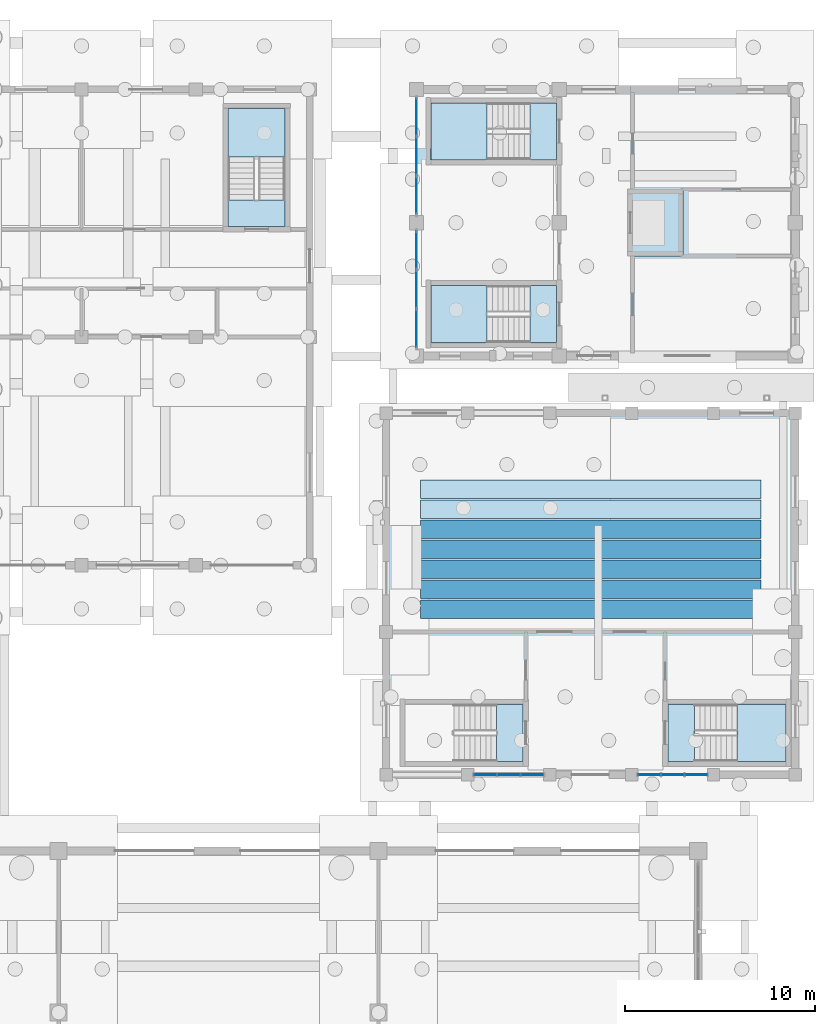
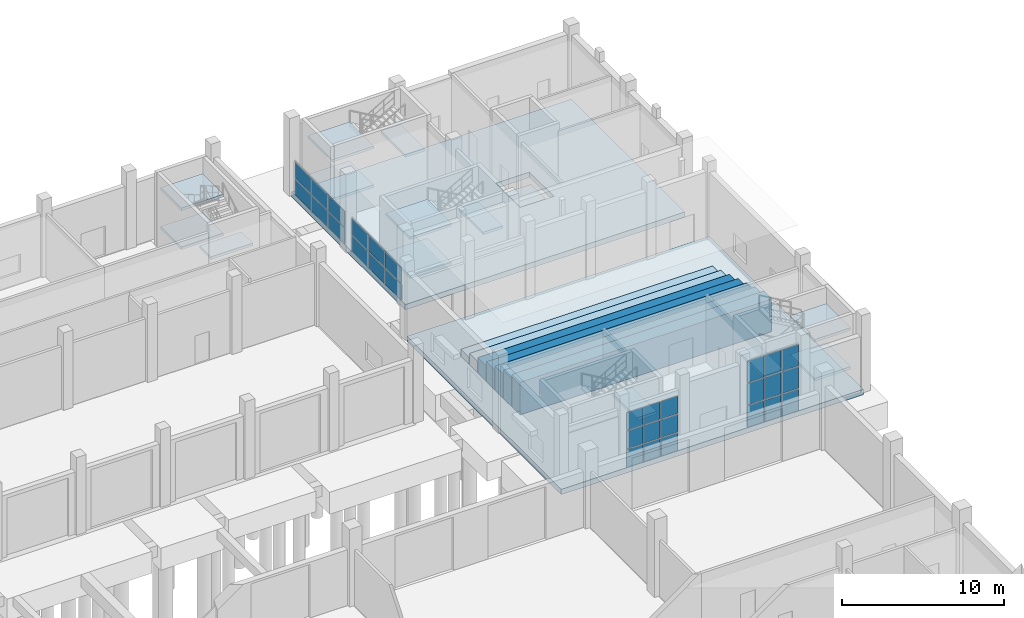
# One storey, part 27 of 60: 30 plates, 23 slabs, 9 elements without a shape of their own.
"""IFC4 building model written with IfcOpenShell, lengths in metres."""

from ifc_helpers import new_model, si_unit, direction, frame, origin, origin_2d, place, context, subcontext, project, spatial, polyline, rectangle, outline, extrude, material, layer, layer_set, type_object, element, aggregate, save


model = new_model("IFC4")

# Units and contexts
model_context = context("Model", 3, precision=1e-05, world=origin(), true_north=direction((0.0, 1.0)))
body_context = subcontext(model_context, "Body", "Model", "MODEL_VIEW")
ifc_project = project(units=[si_unit("LENGTHUNIT", "METRE"), si_unit("AREAUNIT", "SQUARE_METRE"), si_unit("VOLUMEUNIT", "CUBIC_METRE"), si_unit("PLANEANGLEUNIT", "RADIAN"), si_unit("MASSUNIT", "GRAM", prefix="KILO")], contexts=[model_context])

# Site, building, storey
site_placement = place(None, origin())
site = spatial("IfcSite", under=ifc_project, at=site_placement, CompositionType="ELEMENT")
building_placement = place(site_placement, origin())
building = spatial("IfcBuilding", under=site, at=building_placement, Name="Trellovar Central Fire Station", CompositionType="ELEMENT")
storey_placement = place(building_placement, origin())
storey = spatial("IfcBuildingStorey", under=building, at=storey_placement, Name="L01", CompositionType="ELEMENT", Elevation=0.0)

# Curtain wall, plate
ifc_material_1 = material(Name="Thermally broken bronze anodized aluminum", Category="aluminium")
ifc_layer_1 = layer(ifc_material_1, 0.159912109375)
ifc_layer_set_1 = layer_set([ifc_layer_1], Name="Thermally broken bronze anodized aluminum")
curtain_wall_type_1 = type_object("IfcCurtainWallType", Name="CW-03", PredefinedType="NOTDEFINED", material=ifc_layer_set_1)
curtain_wall_1_placement = place(storey_placement, origin())
curtain_wall_1 = element("IfcCurtainWall", 1, at=curtain_wall_1_placement, inside=storey, type_object=curtain_wall_type_1, Name="L01 curtain wall CW-3", PredefinedType="NOTDEFINED")
ifc_material_2 = material(Name="Double low-E solar control insulated glazing", Category="glass")
ifc_layer_2 = layer(ifc_material_2, 0.031982421875)
ifc_layer_set_2 = layer_set([ifc_layer_2], Name="Double low-E solar control insulated glazing")
plate_type_1 = type_object("IfcPlateType", Name="CWP-GL1", PredefinedType="CURTAIN_PANEL", material=ifc_layer_set_2)
plate_1_placement = place(storey_placement, frame((144.716796875, 37.0, 1.4365234375), z_axis=(0.0, 0.0, 1.0), x_axis=(1.0, 0.0, 0.0)))
plate_1 = element("IfcPlate", 2, at=plate_1_placement, type_object=plate_type_1, Name="CW3-L01-0143 panel 1-2", PredefinedType="CURTAIN_PANEL", context=body_context, shape_type="SweptSolid", body=[
    extrude(rectangle(XDim=1.1533203125, YDim=0.031982421875, at=origin_2d()), origin(), (0.0, 0.0, 1.0), 1.316650390625),
])

# Curtain wall, plates
curtain_wall_2_placement = place(storey_placement, origin())
curtain_wall_2 = element("IfcCurtainWall", 3, at=curtain_wall_2_placement, inside=storey, type_object=curtain_wall_type_1, Name="L01 curtain wall CW-3", PredefinedType="NOTDEFINED")
plate_2_placement = place(storey_placement, frame((153.316650390625, 37.0, 3.40673828125), z_axis=(0.0, 0.0, 1.0), x_axis=(1.0, 0.0, 0.0)))
plate_2 = element("IfcPlate", 4, at=plate_2_placement, type_object=plate_type_1, Name="CW3-L01-0146 panel 1-3", PredefinedType="CURTAIN_PANEL", context=body_context, shape_type="SweptSolid", body=[
    extrude(rectangle(XDim=1.1533203125, YDim=0.031982421875, at=origin_2d()), origin(), (0.0, 0.0, 1.0), 1.603271484375),
])
plate_3_placement = place(storey_placement, frame((154.550048828125, 37.0, 1.72314453125), z_axis=(0.0, 0.0, 1.0), x_axis=(1.0, 0.0, 0.0)))
plate_3 = element("IfcPlate", 5, at=plate_3_placement, type_object=plate_type_1, Name="CW3-L01-0146 panel 2-2", PredefinedType="CURTAIN_PANEL", context=body_context, shape_type="SweptSolid", body=[
    extrude(rectangle(XDim=1.1533203125, YDim=0.031982421875, at=origin_2d()), origin(), (0.0, 0.0, 1.0), 1.603515625),
])

# Curtain wall, plate
ifc_material_3 = material(Name="Thermally broken bronze anodized aluminum", Category="aluminium")
ifc_layer_3 = layer(ifc_material_3, 0.159912109375)
ifc_layer_set_3 = layer_set([ifc_layer_3], Name="Thermally broken bronze anodized aluminum")
curtain_wall_type_2 = type_object("IfcCurtainWallType", Name="CW-07", PredefinedType="NOTDEFINED", material=ifc_layer_set_3)
curtain_wall_3_placement = place(storey_placement, origin())
curtain_wall_3 = element("IfcCurtainWall", 6, at=curtain_wall_3_placement, inside=storey, type_object=curtain_wall_type_2, Name="V2 L01 west drill yard curtain wall", PredefinedType="NOTDEFINED")
plate_4_placement = place(storey_placement, frame((141.10009765625, 62.5, 1.31494140625), z_axis=(0.0, 0.0, 1.0), x_axis=(0.0, 1.0, 0.0)))
plate_4 = element("IfcPlate", 7, at=plate_4_placement, type_object=plate_type_1, Name="CW3-L01-0154 panel 2-2", PredefinedType="CURTAIN_PANEL", context=body_context, shape_type="SweptSolid", body=[
    extrude(rectangle(XDim=1.973388671875, YDim=0.031982421875, at=origin_2d()), origin(), (0.0, 0.0, 1.0), 1.195068359375),
])

curtain_wall_4_placement = place(storey_placement, origin())
curtain_wall_4 = element("IfcCurtainWall", 8, at=curtain_wall_4_placement, inside=storey, type_object=curtain_wall_type_2, Name="V2 L01 west drill yard curtain wall", PredefinedType="NOTDEFINED")
plate_5_placement = place(storey_placement, frame((141.10009765625, 67.44677734375, 1.31494140625), z_axis=(0.0, 0.0, 1.0), x_axis=(0.0, 1.0, 0.0)))
plate_5 = element("IfcPlate", 9, at=plate_5_placement, type_object=plate_type_1, Name="CW3-L01-0155 panel 1-2", PredefinedType="CURTAIN_PANEL", context=body_context, shape_type="SweptSolid", body=[
    extrude(rectangle(XDim=1.973388671875, YDim=0.031982421875, at=origin_2d()), origin(), (0.0, 0.0, 1.0), 1.195068359375),
])

# Plate
ifc_material_4 = material(Name="Double low-E solar control insulated glazing", Category="glass")
ifc_layer_4 = layer(ifc_material_4, 0.035888671875)
ifc_layer_set_4 = layer_set([ifc_layer_4], Name="Double low-E solar control insulated glazing")
plate_type_2 = type_object("IfcPlateType", Name="CWP-GL2", PredefinedType="CURTAIN_PANEL", material=ifc_layer_set_4)
plate_6_placement = place(storey_placement, frame((144.716796875, 37.0, 2.83349609375), z_axis=(0.0, 0.0, 1.0), x_axis=(1.0, 0.0, 0.0)))
plate_6 = element("IfcPlate", 10, at=plate_6_placement, type_object=plate_type_2, Name="CW3-L01-0143 panel 1-3", PredefinedType="CURTAIN_PANEL", context=body_context, shape_type="SweptSolid", body=[
    extrude(rectangle(XDim=1.1533203125, YDim=0.035888671875, at=origin_2d()), origin(), (0.0, 0.0, 1.0), 1.316650390625),
])

plate_7_placement = place(storey_placement, frame((145.949951171875, 37.0, 1.4365234375), z_axis=(0.0, 0.0, 1.0), x_axis=(1.0, 0.0, 0.0)))
plate_7 = element("IfcPlate", 11, at=plate_7_placement, type_object=plate_type_2, Name="CW3-L01-0143 panel 2-2", PredefinedType="CURTAIN_PANEL", context=body_context, shape_type="SweptSolid", body=[
    extrude(rectangle(XDim=1.1533203125, YDim=0.035888671875, at=origin_2d()), origin(), (0.0, 0.0, 1.0), 1.316650390625),
])

plate_8_placement = place(storey_placement, frame((154.550048828125, 37.0, 3.40673828125), z_axis=(0.0, 0.0, 1.0), x_axis=(1.0, 0.0, 0.0)))
plate_8 = element("IfcPlate", 12, at=plate_8_placement, type_object=plate_type_2, Name="CW3-L01-0146 panel 2-3", PredefinedType="CURTAIN_PANEL", context=body_context, shape_type="SweptSolid", body=[
    extrude(rectangle(XDim=1.1533203125, YDim=0.035888671875, at=origin_2d()), origin(), (0.0, 0.0, 1.0), 1.603271484375),
])

plate_9_placement = place(storey_placement, frame((155.783447265625, 37.0, 1.72314453125), z_axis=(0.0, 0.0, 1.0), x_axis=(1.0, 0.0, 0.0)))
plate_9 = element("IfcPlate", 13, at=plate_9_placement, type_object=plate_type_2, Name="CW3-L01-0146 panel 3-2", PredefinedType="CURTAIN_PANEL", context=body_context, shape_type="SweptSolid", body=[
    extrude(rectangle(XDim=1.1533203125, YDim=0.035888671875, at=origin_2d()), origin(), (0.0, 0.0, 1.0), 1.603515625),
])

plate_10_placement = place(storey_placement, frame((141.10009765625, 64.55322265625, 1.31494140625), z_axis=(0.0, 0.0, 1.0), x_axis=(0.0, 1.0, 0.0)))
plate_10 = element("IfcPlate", 14, at=plate_10_placement, type_object=plate_type_2, Name="CW3-L01-0154 panel 3-2", PredefinedType="CURTAIN_PANEL", context=body_context, shape_type="SweptSolid", body=[
    extrude(rectangle(XDim=1.973388671875, YDim=0.035888671875, at=origin_2d()), origin(), (0.0, 0.0, 1.0), 1.195068359375),
])

plate_11_placement = place(storey_placement, frame((141.10009765625, 69.5, 1.31494140625), z_axis=(0.0, 0.0, 1.0), x_axis=(0.0, 1.0, 0.0)))
plate_11 = element("IfcPlate", 15, at=plate_11_placement, type_object=plate_type_2, Name="CW3-L01-0155 panel 2-2", PredefinedType="CURTAIN_PANEL", context=body_context, shape_type="SweptSolid", body=[
    extrude(rectangle(XDim=1.973388671875, YDim=0.035888671875, at=origin_2d()), origin(), (0.0, 0.0, 1.0), 1.195068359375),
])

ifc_material_5 = material(Name="Double low-E solar control insulated glazing", Category="glass")
ifc_layer_5 = layer(ifc_material_5, 0.033935546875)
ifc_layer_set_5 = layer_set([ifc_layer_5], Name="Double low-E solar control insulated glazing")
plate_type_3 = type_object("IfcPlateType", Name="CWP-GL3", PredefinedType="CURTAIN_PANEL", material=ifc_layer_set_5)
plate_12_placement = place(storey_placement, frame((145.949951171875, 37.0, 2.83349609375), z_axis=(0.0, 0.0, 1.0), x_axis=(1.0, 0.0, 0.0)))
plate_12 = element("IfcPlate", 16, at=plate_12_placement, type_object=plate_type_3, Name="CW3-L01-0143 panel 2-3", PredefinedType="CURTAIN_PANEL", context=body_context, shape_type="SweptSolid", body=[
    extrude(rectangle(XDim=1.1533203125, YDim=0.033935546875, at=origin_2d()), origin(), (0.0, 0.0, 1.0), 1.316650390625),
])

plate_13_placement = place(storey_placement, frame((147.183349609375, 37.0, 1.4365234375), z_axis=(0.0, 0.0, 1.0), x_axis=(1.0, 0.0, 0.0)))
plate_13 = element("IfcPlate", 17, at=plate_13_placement, type_object=plate_type_3, Name="CW3-L01-0143 panel 3-2", PredefinedType="CURTAIN_PANEL", context=body_context, shape_type="SweptSolid", body=[
    extrude(rectangle(XDim=1.1533203125, YDim=0.033935546875, at=origin_2d()), origin(), (0.0, 0.0, 1.0), 1.316650390625),
])

plate_14_placement = place(storey_placement, frame((155.783447265625, 37.0, 3.40673828125), z_axis=(0.0, 0.0, 1.0), x_axis=(1.0, 0.0, 0.0)))
plate_14 = element("IfcPlate", 18, at=plate_14_placement, type_object=plate_type_3, Name="CW3-L01-0146 panel 3-3", PredefinedType="CURTAIN_PANEL", context=body_context, shape_type="SweptSolid", body=[
    extrude(rectangle(XDim=1.1533203125, YDim=0.033935546875, at=origin_2d()), origin(), (0.0, 0.0, 1.0), 1.603271484375),
])

plate_15_placement = place(storey_placement, frame((141.10009765625, 71.55322265625, 1.31494140625), z_axis=(0.0, 0.0, 1.0), x_axis=(0.0, 1.0, 0.0)))
plate_15 = element("IfcPlate", 19, at=plate_15_placement, type_object=plate_type_3, Name="CW3-L01-0155 panel 3-2", PredefinedType="CURTAIN_PANEL", context=body_context, shape_type="SweptSolid", body=[
    extrude(rectangle(XDim=1.973388671875, YDim=0.033935546875, at=origin_2d()), origin(), (0.0, 0.0, 1.0), 1.195068359375),
])

ifc_material_6 = material(Name="Double low-E solar control insulated glazing", Category="glass")
ifc_layer_6 = layer(ifc_material_6, 0.030029296875)
ifc_layer_set_6 = layer_set([ifc_layer_6], Name="Double low-E solar control insulated glazing")
plate_type_4 = type_object("IfcPlateType", Name="CWP-GL4", PredefinedType="CURTAIN_PANEL", material=ifc_layer_set_6)
plate_16_placement = place(storey_placement, frame((147.183349609375, 37.0, 2.83349609375), z_axis=(0.0, 0.0, 1.0), x_axis=(1.0, 0.0, 0.0)))
plate_16 = element("IfcPlate", 20, at=plate_16_placement, type_object=plate_type_4, Name="CW3-L01-0143 panel 3-3", PredefinedType="CURTAIN_PANEL", context=body_context, shape_type="SweptSolid", body=[
    extrude(rectangle(XDim=1.1533203125, YDim=0.030029296875, at=origin_2d()), origin(), (0.0, 0.0, 1.0), 1.316650390625),
])

plate_17_placement = place(storey_placement, frame((153.316650390625, 37.0, 1.72314453125), z_axis=(0.0, 0.0, 1.0), x_axis=(1.0, 0.0, 0.0)))
plate_17 = element("IfcPlate", 21, at=plate_17_placement, type_object=plate_type_4, Name="CW3-L01-0146 panel 1-2", PredefinedType="CURTAIN_PANEL", context=body_context, shape_type="SweptSolid", body=[
    extrude(rectangle(XDim=1.1533203125, YDim=0.030029296875, at=origin_2d()), origin(), (0.0, 0.0, 1.0), 1.603515625),
])

plate_18_placement = place(storey_placement, frame((141.10009765625, 60.44677734375, 1.31494140625), z_axis=(0.0, 0.0, 1.0), x_axis=(0.0, 1.0, 0.0)))
plate_18 = element("IfcPlate", 22, at=plate_18_placement, type_object=plate_type_4, Name="CW3-L01-0154 panel 1-2", PredefinedType="CURTAIN_PANEL", context=body_context, shape_type="SweptSolid", body=[
    extrude(rectangle(XDim=1.973388671875, YDim=0.030029296875, at=origin_2d()), origin(), (0.0, 0.0, 1.0), 1.195068359375),
])

ifc_material_7 = material(Name="Glazed ceramic trencadis and terracotta panel", Category="masonry")
ifc_layer_7 = layer(ifc_material_7, 0.048095703125)
ifc_layer_set_7 = layer_set([ifc_layer_7], Name="Glazed ceramic trencadis and terracotta panel")
plate_type_5 = type_object("IfcPlateType", Name="CWP-SP1", PredefinedType="CURTAIN_PANEL", material=ifc_layer_set_7)
plate_19_placement = place(storey_placement, frame((145.949951171875, 37.0, 0.0400390625), z_axis=(0.0, 0.0, 1.0), x_axis=(1.0, 0.0, 0.0)))
plate_19 = element("IfcPlate", 23, at=plate_19_placement, type_object=plate_type_5, Name="CW3-L01-0143 panel 2-1", PredefinedType="CURTAIN_PANEL", context=body_context, shape_type="SweptSolid", body=[
    extrude(rectangle(XDim=1.1533203125, YDim=0.048095703125, at=origin_2d()), origin(), (0.0, 0.0, 1.0), 1.316650390625),
])

plate_20_placement = place(storey_placement, frame((153.316650390625, 37.0, 0.0400390625), z_axis=(0.0, 0.0, 1.0), x_axis=(1.0, 0.0, 0.0)))
plate_20 = element("IfcPlate", 24, at=plate_20_placement, type_object=plate_type_5, Name="CW3-L01-0146 panel 1-1", PredefinedType="CURTAIN_PANEL", context=body_context, shape_type="SweptSolid", body=[
    extrude(rectangle(XDim=1.1533203125, YDim=0.048095703125, at=origin_2d()), origin(), (0.0, 0.0, 1.0), 1.603271484375),
])

plate_21_placement = place(storey_placement, frame((155.783447265625, 37.0, 0.0400390625), z_axis=(0.0, 0.0, 1.0), x_axis=(1.0, 0.0, 0.0)))
plate_21 = element("IfcPlate", 25, at=plate_21_placement, type_object=plate_type_5, Name="CW3-L01-0146 panel 3-1", PredefinedType="CURTAIN_PANEL", context=body_context, shape_type="SweptSolid", body=[
    extrude(rectangle(XDim=1.1533203125, YDim=0.048095703125, at=origin_2d()), origin(), (0.0, 0.0, 1.0), 1.603271484375),
])

plate_22_placement = place(storey_placement, frame((141.10009765625, 60.44677734375, 0.0400390625), z_axis=(0.0, 0.0, 1.0), x_axis=(0.0, 1.0, 0.0)))
plate_22 = element("IfcPlate", 26, at=plate_22_placement, type_object=plate_type_5, Name="CW3-L01-0154 panel 1-1", PredefinedType="CURTAIN_PANEL", context=body_context, shape_type="SweptSolid", body=[
    extrude(rectangle(XDim=1.973388671875, YDim=0.048095703125, at=origin_2d()), origin(), (0.0, 0.0, 1.0), 1.195068359375),
])

plate_23_placement = place(storey_placement, frame((141.10009765625, 64.55322265625, 0.0400390625), z_axis=(0.0, 0.0, 1.0), x_axis=(0.0, 1.0, 0.0)))
plate_23 = element("IfcPlate", 27, at=plate_23_placement, type_object=plate_type_5, Name="CW3-L01-0154 panel 3-1", PredefinedType="CURTAIN_PANEL", context=body_context, shape_type="SweptSolid", body=[
    extrude(rectangle(XDim=1.973388671875, YDim=0.048095703125, at=origin_2d()), origin(), (0.0, 0.0, 1.0), 1.195068359375),
])

plate_24_placement = place(storey_placement, frame((141.10009765625, 69.5, 0.0400390625), z_axis=(0.0, 0.0, 1.0), x_axis=(0.0, 1.0, 0.0)))
plate_24 = element("IfcPlate", 28, at=plate_24_placement, type_object=plate_type_5, Name="CW3-L01-0155 panel 2-1", PredefinedType="CURTAIN_PANEL", context=body_context, shape_type="SweptSolid", body=[
    extrude(rectangle(XDim=1.973388671875, YDim=0.048095703125, at=origin_2d()), origin(), (0.0, 0.0, 1.0), 1.195068359375),
])

ifc_material_8 = material(Name="Glazed ceramic trencadis and terracotta panel", Category="masonry")
ifc_layer_8 = layer(ifc_material_8, 0.044921875)
ifc_layer_set_8 = layer_set([ifc_layer_8], Name="Glazed ceramic trencadis and terracotta panel")
plate_type_6 = type_object("IfcPlateType", Name="CWP-SP2", PredefinedType="CURTAIN_PANEL", material=ifc_layer_set_8)
plate_25_placement = place(storey_placement, frame((144.716796875, 37.0, 0.0400390625), z_axis=(0.0, 0.0, 1.0), x_axis=(1.0, 0.0, 0.0)))
plate_25 = element("IfcPlate", 29, at=plate_25_placement, type_object=plate_type_6, Name="CW3-L01-0143 panel 1-1", PredefinedType="CURTAIN_PANEL", context=body_context, shape_type="SweptSolid", body=[
    extrude(rectangle(XDim=1.1533203125, YDim=0.044921875, at=origin_2d()), origin(), (0.0, 0.0, 1.0), 1.316650390625),
])

plate_26_placement = place(storey_placement, frame((147.183349609375, 37.0, 0.0400390625), z_axis=(0.0, 0.0, 1.0), x_axis=(1.0, 0.0, 0.0)))
plate_26 = element("IfcPlate", 30, at=plate_26_placement, type_object=plate_type_6, Name="CW3-L01-0143 panel 3-1", PredefinedType="CURTAIN_PANEL", context=body_context, shape_type="SweptSolid", body=[
    extrude(rectangle(XDim=1.1533203125, YDim=0.044921875, at=origin_2d()), origin(), (0.0, 0.0, 1.0), 1.316650390625),
])

aggregate(curtain_wall_1, [plate_25, plate_1, plate_6, plate_19, plate_7, plate_12, plate_26, plate_13, plate_16])

plate_27_placement = place(storey_placement, frame((154.550048828125, 37.0, 0.0400390625), z_axis=(0.0, 0.0, 1.0), x_axis=(1.0, 0.0, 0.0)))
plate_27 = element("IfcPlate", 31, at=plate_27_placement, type_object=plate_type_6, Name="CW3-L01-0146 panel 2-1", PredefinedType="CURTAIN_PANEL", context=body_context, shape_type="SweptSolid", body=[
    extrude(rectangle(XDim=1.1533203125, YDim=0.044921875, at=origin_2d()), origin(), (0.0, 0.0, 1.0), 1.603271484375),
])

aggregate(curtain_wall_2, [plate_20, plate_17, plate_2, plate_27, plate_3, plate_8, plate_21, plate_9, plate_14])

plate_28_placement = place(storey_placement, frame((141.10009765625, 62.5, 0.0400390625), z_axis=(0.0, 0.0, 1.0), x_axis=(0.0, 1.0, 0.0)))
plate_28 = element("IfcPlate", 32, at=plate_28_placement, type_object=plate_type_6, Name="CW3-L01-0154 panel 2-1", PredefinedType="CURTAIN_PANEL", context=body_context, shape_type="SweptSolid", body=[
    extrude(rectangle(XDim=1.973388671875, YDim=0.044921875, at=origin_2d()), origin(), (0.0, 0.0, 1.0), 1.195068359375),
])

aggregate(curtain_wall_3, [plate_22, plate_18, plate_28, plate_4, plate_23, plate_10])

plate_29_placement = place(storey_placement, frame((141.10009765625, 67.44677734375, 0.0400390625), z_axis=(0.0, 0.0, 1.0), x_axis=(0.0, 1.0, 0.0)))
plate_29 = element("IfcPlate", 33, at=plate_29_placement, type_object=plate_type_6, Name="CW3-L01-0155 panel 1-1", PredefinedType="CURTAIN_PANEL", context=body_context, shape_type="SweptSolid", body=[
    extrude(rectangle(XDim=1.973388671875, YDim=0.044921875, at=origin_2d()), origin(), (0.0, 0.0, 1.0), 1.195068359375),
])

plate_30_placement = place(storey_placement, frame((141.10009765625, 71.55322265625, 0.0400390625), z_axis=(0.0, 0.0, 1.0), x_axis=(0.0, 1.0, 0.0)))
plate_30 = element("IfcPlate", 34, at=plate_30_placement, type_object=plate_type_6, Name="CW3-L01-0155 panel 3-1", PredefinedType="CURTAIN_PANEL", context=body_context, shape_type="SweptSolid", body=[
    extrude(rectangle(XDim=1.973388671875, YDim=0.044921875, at=origin_2d()), origin(), (0.0, 0.0, 1.0), 1.195068359375),
])

aggregate(curtain_wall_4, [plate_29, plate_5, plate_24, plate_11, plate_30, plate_15])

# Slabs
ifc_material_9 = material(Name="Concrete C35/45", Category="concrete")
ifc_layer_9 = layer(ifc_material_9, 0.39990234375)
ifc_layer_set_9 = layer_set([ifc_layer_9], Name="Concrete C35/45")
slab_type_1 = type_object("IfcSlabType", Name="SLB-BASE400", PredefinedType="BASESLAB", material=ifc_layer_set_9)
slab_1_placement = place(storey_placement, frame((0.0, 0.0, -0.39990234375)))
element("IfcSlab", 35, at=slab_1_placement, inside=storey, type_object=slab_type_1, Name="V3 L01 structural base slab", PredefinedType="BASESLAB", context=body_context, shape_type="SweptSolid", body=[
    extrude(outline(polyline([(139.5, 37.0), (161.0, 37.0), (161.0, 56.0), (139.5, 56.0), (139.5, 37.0)])), origin(), (0.0, 0.0, 1.0), 0.39990234375),
])
slab_2_placement = place(storey_placement, frame((0.0, 0.0, -0.39990234375)))
element("IfcSlab", 36, at=slab_2_placement, inside=storey, type_object=slab_type_1, Name="V2 L01 structural base slab", PredefinedType="BASESLAB", context=body_context, shape_type="SweptSolid", body=[
    extrude(outline(polyline([(141.10009765625, 59.0), (161.0, 59.0), (161.0, 73.0), (141.10009765625, 73.0), (141.10009765625, 59.0)]), holes=[polyline([(152.449951171875, 64.5), (154.85009765625, 64.5), (154.85009765625, 67.5), (152.449951171875, 67.5), (152.449951171875, 64.5)])]), origin(), (0.0, 0.0, 1.0), 0.39990234375),
])

# Stair, slabs
ifc_material_10 = material(Name="Concrete C40/50", Category="concrete")
stair_type = type_object("IfcStairType", Name="ST-R1625", PredefinedType="HALF_TURN_STAIR", material=ifc_material_10)
stair_1_placement = place(storey_placement, origin())
stair_1 = element("IfcStair", 37, at=stair_1_placement, inside=storey, type_object=stair_type, Name="L01 Protected exit stair ST-05", PredefinedType="HALF_TURN_STAIR")
ifc_material_11 = material(Name="Concrete C40/50", Category="concrete")
ifc_layer_10 = layer(ifc_material_11, 0.199951171875)
ifc_layer_set_10 = layer_set([ifc_layer_10], Name="Concrete C40/50")
slab_type_2 = type_object("IfcSlabType", Name="SLB-LND", PredefinedType="LANDING", material=ifc_layer_set_10)
slab_3_placement = place(storey_placement, frame((0.0, 0.0, 1.262451171875)))
slab_3 = element("IfcSlab", 38, at=slab_3_placement, type_object=slab_type_2, Name="ST-05 landing 1", PredefinedType="LANDING", context=body_context, shape_type="SweptSolid", body=[
    extrude(outline(polyline([(144.81005859375, 62.699951171875), (141.85009765625, 62.699951171875), (141.85009765625, 59.699951171875), (144.81005859375, 59.699951171875), (144.81005859375, 62.699951171875)])), origin(), (0.0, 0.0, 1.0), 0.199951171875),
])
slab_4_placement = place(storey_placement, frame((0.0, 0.0, 2.72509765625)))
slab_4 = element("IfcSlab", 39, at=slab_4_placement, type_object=slab_type_2, Name="ST-05 landing 2", PredefinedType="LANDING", context=body_context, shape_type="SweptSolid", body=[
    extrude(outline(polyline([(148.449951171875, 62.699951171875), (147.050048828125, 62.699951171875), (147.050048828125, 59.699951171875), (148.449951171875, 59.699951171875), (148.449951171875, 62.699951171875)])), origin(), (0.0, 0.0, 1.0), 0.199951171875),
])
slab_5_placement = place(storey_placement, frame((0.0, 0.0, 4.1875)))
slab_5 = element("IfcSlab", 40, at=slab_5_placement, type_object=slab_type_2, Name="ST-05 landing 3", PredefinedType="LANDING", context=body_context, shape_type="SweptSolid", body=[
    extrude(outline(polyline([(144.81005859375, 62.699951171875), (141.85009765625, 62.699951171875), (141.85009765625, 59.699951171875), (144.81005859375, 59.699951171875), (144.81005859375, 62.699951171875)])), origin(), (0.0, 0.0, 1.0), 0.199951171875),
])
aggregate(stair_1, [slab_3, slab_4, slab_5])

stair_2_placement = place(storey_placement, origin())
stair_2 = element("IfcStair", 41, at=stair_2_placement, inside=storey, type_object=stair_type, Name="L01 Protected exit stair ST-06", PredefinedType="HALF_TURN_STAIR")
slab_6_placement = place(storey_placement, frame((0.0, 0.0, 1.262451171875)))
slab_6 = element("IfcSlab", 42, at=slab_6_placement, type_object=slab_type_2, Name="ST-06 landing 1", PredefinedType="LANDING", context=body_context, shape_type="SweptSolid", body=[
    extrude(outline(polyline([(144.81005859375, 72.300048828125), (141.85009765625, 72.300048828125), (141.85009765625, 69.300048828125), (144.81005859375, 69.300048828125), (144.81005859375, 72.300048828125)])), origin(), (0.0, 0.0, 1.0), 0.199951171875),
])
slab_7_placement = place(storey_placement, frame((0.0, 0.0, 2.72509765625)))
slab_7 = element("IfcSlab", 43, at=slab_7_placement, type_object=slab_type_2, Name="ST-06 landing 2", PredefinedType="LANDING", context=body_context, shape_type="SweptSolid", body=[
    extrude(outline(polyline([(148.449951171875, 72.300048828125), (147.050048828125, 72.300048828125), (147.050048828125, 69.300048828125), (148.449951171875, 69.300048828125), (148.449951171875, 72.300048828125)])), origin(), (0.0, 0.0, 1.0), 0.199951171875),
])
slab_8_placement = place(storey_placement, frame((0.0, 0.0, 4.1875)))
slab_8 = element("IfcSlab", 44, at=slab_8_placement, type_object=slab_type_2, Name="ST-06 landing 3", PredefinedType="LANDING", context=body_context, shape_type="SweptSolid", body=[
    extrude(outline(polyline([(144.81005859375, 72.300048828125), (141.85009765625, 72.300048828125), (141.85009765625, 69.300048828125), (144.81005859375, 69.300048828125), (144.81005859375, 72.300048828125)])), origin(), (0.0, 0.0, 1.0), 0.199951171875),
])
aggregate(stair_2, [slab_6, slab_7, slab_8])

stair_3_placement = place(storey_placement, origin())
stair_3 = element("IfcStair", 45, at=stair_3_placement, inside=storey, type_object=stair_type, Name="L01 Protected exit stair ST-08", PredefinedType="HALF_TURN_STAIR")
slab_9_placement = place(storey_placement, frame((0.0, 0.0, 1.262451171875)))
slab_9 = element("IfcSlab", 46, at=slab_9_placement, type_object=slab_type_2, Name="ST-08 landing 1", PredefinedType="LANDING", context=body_context, shape_type="SweptSolid", body=[
    extrude(outline(polyline([(134.199951171875, 69.43994140625), (134.199951171875, 72.0), (131.199951171875, 72.0), (131.199951171875, 69.43994140625), (134.199951171875, 69.43994140625)])), origin(), (0.0, 0.0, 1.0), 0.199951171875),
])
slab_10_placement = place(storey_placement, frame((0.0, 0.0, 2.72509765625)))
slab_10 = element("IfcSlab", 47, at=slab_10_placement, type_object=slab_type_2, Name="ST-08 landing 2", PredefinedType="LANDING", context=body_context, shape_type="SweptSolid", body=[
    extrude(outline(polyline([(134.199951171875, 65.800048828125), (134.199951171875, 67.199951171875), (131.199951171875, 67.199951171875), (131.199951171875, 65.800048828125), (134.199951171875, 65.800048828125)])), origin(), (0.0, 0.0, 1.0), 0.199951171875),
])
slab_11_placement = place(storey_placement, frame((0.0, 0.0, 4.1875)))
slab_11 = element("IfcSlab", 48, at=slab_11_placement, type_object=slab_type_2, Name="ST-08 landing 3", PredefinedType="LANDING", context=body_context, shape_type="SweptSolid", body=[
    extrude(outline(polyline([(134.199951171875, 69.43994140625), (134.199951171875, 72.0), (131.199951171875, 72.0), (131.199951171875, 69.43994140625), (134.199951171875, 69.43994140625)])), origin(), (0.0, 0.0, 1.0), 0.199951171875),
])
aggregate(stair_3, [slab_9, slab_10, slab_11])

# Stair, slab
stair_4_placement = place(storey_placement, origin())
stair_4 = element("IfcStair", 49, at=stair_4_placement, inside=storey, type_object=stair_type, Name="L01 Protected exit stair ST-09", PredefinedType="HALF_TURN_STAIR")
slab_12_placement = place(storey_placement, frame((0.0, 0.0, 2.72509765625)))
slab_12 = element("IfcSlab", 50, at=slab_12_placement, type_object=slab_type_2, Name="ST-09 landing 2", PredefinedType="LANDING", context=body_context, shape_type="SweptSolid", body=[
    extrude(outline(polyline([(146.699951171875, 40.699951171875), (145.300048828125, 40.699951171875), (145.300048828125, 37.699951171875), (146.699951171875, 37.699951171875), (146.699951171875, 40.699951171875)])), origin(), (0.0, 0.0, 1.0), 0.199951171875),
])
aggregate(stair_4, [slab_12])

# Stair, slabs
stair_5_placement = place(storey_placement, origin())
stair_5 = element("IfcStair", 51, at=stair_5_placement, inside=storey, type_object=stair_type, Name="L01 Protected exit stair ST-10", PredefinedType="HALF_TURN_STAIR")
slab_13_placement = place(storey_placement, frame((0.0, 0.0, 1.262451171875)))
slab_13 = element("IfcSlab", 52, at=slab_13_placement, type_object=slab_type_2, Name="ST-10 landing 1", PredefinedType="LANDING", context=body_context, shape_type="SweptSolid", body=[
    extrude(outline(polyline([(157.93994140625, 37.699951171875), (160.5, 37.699951171875), (160.5, 40.699951171875), (157.93994140625, 40.699951171875), (157.93994140625, 37.699951171875)])), origin(), (0.0, 0.0, 1.0), 0.199951171875),
])
slab_14_placement = place(storey_placement, frame((0.0, 0.0, 2.72509765625)))
slab_14 = element("IfcSlab", 53, at=slab_14_placement, type_object=slab_type_2, Name="ST-10 landing 2", PredefinedType="LANDING", context=body_context, shape_type="SweptSolid", body=[
    extrude(outline(polyline([(154.300048828125, 37.699951171875), (155.699951171875, 37.699951171875), (155.699951171875, 40.699951171875), (154.300048828125, 40.699951171875), (154.300048828125, 37.699951171875)])), origin(), (0.0, 0.0, 1.0), 0.199951171875),
])
slab_15_placement = place(storey_placement, frame((0.0, 0.0, 4.1875)))
slab_15 = element("IfcSlab", 54, at=slab_15_placement, type_object=slab_type_2, Name="ST-10 landing 3", PredefinedType="LANDING", context=body_context, shape_type="SweptSolid", body=[
    extrude(outline(polyline([(157.93994140625, 37.699951171875), (160.5, 37.699951171875), (160.5, 40.699951171875), (157.93994140625, 40.699951171875), (157.93994140625, 37.699951171875)])), origin(), (0.0, 0.0, 1.0), 0.199951171875),
])
aggregate(stair_5, [slab_13, slab_14, slab_15])

# Slabs
ifc_material_12 = material(Name="Concrete C35/45", Category="concrete")
ifc_layer_11 = layer(ifc_material_12, 0.35009765625)
ifc_layer_set_11 = layer_set([ifc_layer_11], Name="Concrete C35/45")
slab_type_3 = type_object("IfcSlabType", Name="SLB-PIT350", PredefinedType="BASESLAB", material=ifc_layer_set_11)
slab_16_placement = place(storey_placement, frame((0.0, 0.0, -1.5)))
element("IfcSlab", 55, at=slab_16_placement, inside=storey, type_object=slab_type_3, Name="Elevator EL-04 pit base slab", PredefinedType="BASESLAB", context=body_context, shape_type="SweptSolid", body=[
    extrude(outline(polyline([(152.199951171875, 64.25), (155.10009765625, 64.25), (155.10009765625, 67.75), (152.199951171875, 67.75), (152.199951171875, 64.25)])), origin(), (0.0, 0.0, 1.0), 0.35009765625),
])
ifc_material_13 = material(Name="Concrete C40/50", Category="concrete")
ifc_layer_12 = layer(ifc_material_13, 2.449951171875)
ifc_layer_set_12 = layer_set([ifc_layer_12], Name="Concrete C40/50")
slab_type_4 = type_object("IfcSlabType", Name="SLB-TIER-1", PredefinedType="USERDEFINED", material=ifc_layer_set_12)
slab_17_placement = place(storey_placement, origin())
element("IfcSlab", 56, at=slab_17_placement, inside=storey, type_object=slab_type_4, Name="Stand lower tier row 01", ObjectType="SEATING TIER", PredefinedType="USERDEFINED", context=body_context, shape_type="SweptSolid", body=[
    extrude(outline(polyline([(141.300048828125, 45.199951171875), (159.199951171875, 45.199951171875), (159.199951171875, 46.179931640625), (141.300048828125, 46.179931640625), (141.300048828125, 45.199951171875)])), origin(), (0.0, 0.0, 1.0), 2.449951171875),
])
ifc_material_14 = material(Name="Concrete C40/50", Category="concrete")
ifc_layer_13 = layer(ifc_material_14, 2.1298828125)
ifc_layer_set_13 = layer_set([ifc_layer_13], Name="Concrete C40/50")
slab_type_5 = type_object("IfcSlabType", Name="SLB-TIER-2", PredefinedType="USERDEFINED", material=ifc_layer_set_13)
slab_18_placement = place(storey_placement, origin())
element("IfcSlab", 57, at=slab_18_placement, inside=storey, type_object=slab_type_5, Name="Stand lower tier row 02", ObjectType="SEATING TIER", PredefinedType="USERDEFINED", context=body_context, shape_type="SweptSolid", body=[
    extrude(outline(polyline([(141.300048828125, 46.25), (159.199951171875, 46.25), (159.199951171875, 47.22998046875), (141.300048828125, 47.22998046875), (141.300048828125, 46.25)])), origin(), (0.0, 0.0, 1.0), 2.1298828125),
])
ifc_material_15 = material(Name="Concrete C40/50", Category="concrete")
ifc_layer_14 = layer(ifc_material_15, 1.81005859375)
ifc_layer_set_14 = layer_set([ifc_layer_14], Name="Concrete C40/50")
slab_type_6 = type_object("IfcSlabType", Name="SLB-TIER-3", PredefinedType="USERDEFINED", material=ifc_layer_set_14)
slab_19_placement = place(storey_placement, origin())
element("IfcSlab", 58, at=slab_19_placement, inside=storey, type_object=slab_type_6, Name="Stand lower tier row 03", ObjectType="SEATING TIER", PredefinedType="USERDEFINED", context=body_context, shape_type="SweptSolid", body=[
    extrude(outline(polyline([(141.300048828125, 47.300048828125), (159.199951171875, 47.300048828125), (159.199951171875, 48.280029296875), (141.300048828125, 48.280029296875), (141.300048828125, 47.300048828125)])), origin(), (0.0, 0.0, 1.0), 1.81005859375),
])
ifc_material_16 = material(Name="Concrete C40/50", Category="concrete")
ifc_layer_15 = layer(ifc_material_16, 1.489990234375)
ifc_layer_set_15 = layer_set([ifc_layer_15], Name="Concrete C40/50")
slab_type_7 = type_object("IfcSlabType", Name="SLB-TIER-4", PredefinedType="USERDEFINED", material=ifc_layer_set_15)
slab_20_placement = place(storey_placement, origin())
element("IfcSlab", 59, at=slab_20_placement, inside=storey, type_object=slab_type_7, Name="Stand lower tier row 04", ObjectType="SEATING TIER", PredefinedType="USERDEFINED", context=body_context, shape_type="SweptSolid", body=[
    extrude(outline(polyline([(141.300048828125, 48.35009765625), (159.199951171875, 48.35009765625), (159.199951171875, 49.330078125), (141.300048828125, 49.330078125), (141.300048828125, 48.35009765625)])), origin(), (0.0, 0.0, 1.0), 1.489990234375),
])
ifc_material_17 = material(Name="Concrete C40/50", Category="concrete")
ifc_layer_16 = layer(ifc_material_17, 1.169921875)
ifc_layer_set_16 = layer_set([ifc_layer_16], Name="Concrete C40/50")
slab_type_8 = type_object("IfcSlabType", Name="SLB-TIER-5", PredefinedType="USERDEFINED", material=ifc_layer_set_16)
slab_21_placement = place(storey_placement, origin())
element("IfcSlab", 60, at=slab_21_placement, inside=storey, type_object=slab_type_8, Name="Stand lower tier row 05", ObjectType="SEATING TIER", PredefinedType="USERDEFINED", context=body_context, shape_type="SweptSolid", body=[
    extrude(outline(polyline([(141.300048828125, 49.39990234375), (159.199951171875, 49.39990234375), (159.199951171875, 50.3798828125), (141.300048828125, 50.3798828125), (141.300048828125, 49.39990234375)])), origin(), (0.0, 0.0, 1.0), 1.169921875),
])
ifc_material_18 = material(Name="Concrete C40/50", Category="concrete")
ifc_layer_17 = layer(ifc_material_18, 0.85009765625)
ifc_layer_set_17 = layer_set([ifc_layer_17], Name="Concrete C40/50")
slab_type_9 = type_object("IfcSlabType", Name="SLB-TIER-6", PredefinedType="USERDEFINED", material=ifc_layer_set_17)
slab_22_placement = place(storey_placement, origin())
element("IfcSlab", 61, at=slab_22_placement, inside=storey, type_object=slab_type_9, Name="Stand lower tier row 06", ObjectType="SEATING TIER", PredefinedType="USERDEFINED", context=body_context, shape_type="SweptSolid", body=[
    extrude(outline(polyline([(141.300048828125, 50.449951171875), (159.199951171875, 50.449951171875), (159.199951171875, 51.429931640625), (141.300048828125, 51.429931640625), (141.300048828125, 50.449951171875)])), origin(), (0.0, 0.0, 1.0), 0.85009765625),
])
ifc_material_19 = material(Name="Concrete C40/50", Category="concrete")
ifc_layer_18 = layer(ifc_material_19, 0.530029296875)
ifc_layer_set_18 = layer_set([ifc_layer_18], Name="Concrete C40/50")
slab_type_10 = type_object("IfcSlabType", Name="SLB-TIER-7", PredefinedType="USERDEFINED", material=ifc_layer_set_18)
slab_23_placement = place(storey_placement, origin())
element("IfcSlab", 62, at=slab_23_placement, inside=storey, type_object=slab_type_10, Name="Stand lower tier row 07", ObjectType="SEATING TIER", PredefinedType="USERDEFINED", context=body_context, shape_type="SweptSolid", body=[
    extrude(outline(polyline([(141.300048828125, 51.5), (159.199951171875, 51.5), (159.199951171875, 52.47998046875), (141.300048828125, 52.47998046875), (141.300048828125, 51.5)])), origin(), (0.0, 0.0, 1.0), 0.530029296875),
])

save(model, "model.ifc")
